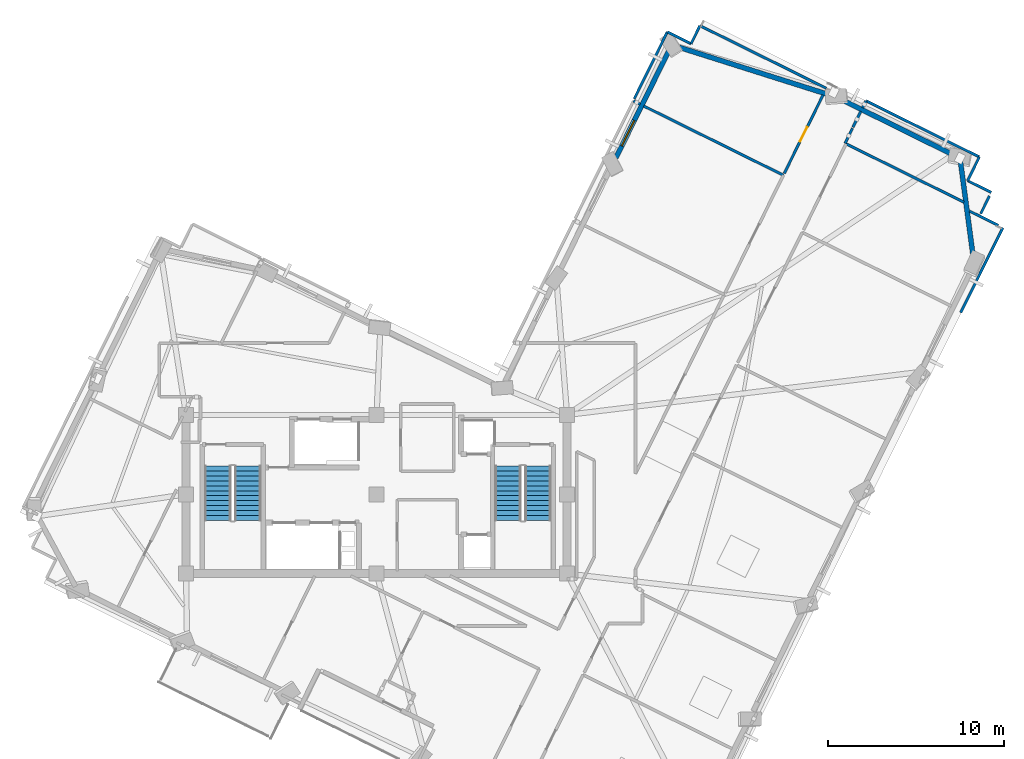
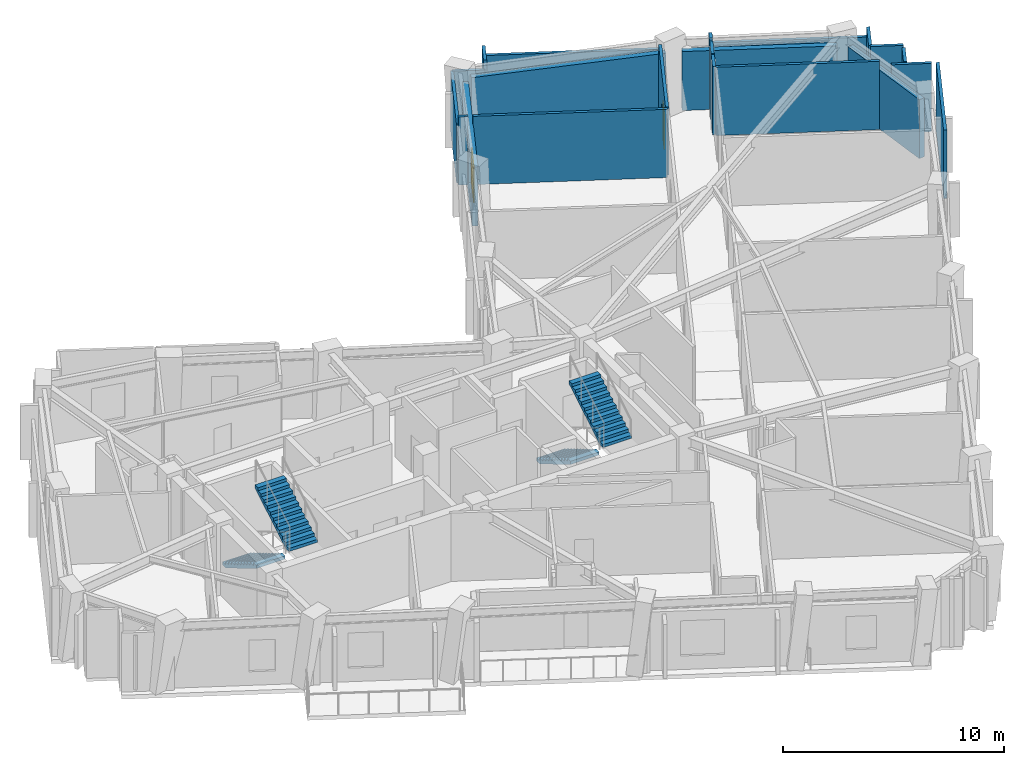
# One storey, part 7 of 11: 21 walls, 4 stair flights, 1 door, 1 window, 2 openings, 2 elements without a shape of their own.
"""IFC4 building model written with IfcOpenShell, lengths in metres."""

from ifc_helpers import new_model, si_unit, direction, frame, frame_2d, origin, place, context, subcontext, project, spatial, polyline, rectangle, outline, extrude, material, layer, layer_set, type_object, element, fill, aggregate, save


model = new_model("IFC4")

# Units and contexts
model_context = context("Model", 3, precision=1e-05, world=origin(), true_north=direction((0.0, 1.0)))
body_context = subcontext(model_context, "Body", "Model", "MODEL_VIEW")
ifc_project = project(units=[si_unit("LENGTHUNIT", "METRE"), si_unit("AREAUNIT", "SQUARE_METRE"), si_unit("VOLUMEUNIT", "CUBIC_METRE"), si_unit("PLANEANGLEUNIT", "RADIAN"), si_unit("MASSUNIT", "GRAM", prefix="KILO")], contexts=[model_context])

# Site, building, storey
site_placement = place(None, origin())
site = spatial("IfcSite", under=ifc_project, at=site_placement, CompositionType="ELEMENT")
building_placement = place(site_placement, origin())
building = spatial("IfcBuilding", under=site, at=building_placement, Name="Gaonmaruhae Medical Tower", CompositionType="ELEMENT")
storey_placement = place(building_placement, frame((0.0, 0.0, 296.60009765625)))
storey = spatial("IfcBuildingStorey", under=building, at=storey_placement, Name="L71", CompositionType="ELEMENT", Elevation=296.60009765625)

# Walls
ifc_material_1 = material(Name="Precast concrete C45/55", Category="concrete")
ifc_layer_1 = layer(ifc_material_1, 0.280029296875)
ifc_layer_set_1 = layer_set([ifc_layer_1], Name="Precast concrete C45/55")
wall_type_1 = type_object("IfcWallType", Name="EW-280 Upper Precast Masonry-Frame Facade Wall", PredefinedType="SOLIDWALL", material=ifc_layer_set_1)
wall_1_placement = place(storey_placement, frame((57.90673828125, 31.1650390625, 0.0), z_axis=(0.0, 0.0, 1.0), x_axis=(0.132260381597, -0.991215007685, 0.0)))
element("IfcWall", 1, at=wall_1_placement, inside=storey, type_object=wall_type_1, Name="L71 Precast Masonry-Frame Wall S06-E01", PredefinedType="SOLIDWALL", context=body_context, shape_type="SweptSolid", body=[
    extrude(rectangle(XDim=5.2939453125, YDim=0.280029296875, at=frame_2d((2.64697265625, 0.0))), origin(), (0.0, 0.0, 1.0), 3.264892578125),
])
wall_2_placement = place(storey_placement, frame((51.114501953125, 34.705322265625, 0.0), z_axis=(0.0, 0.0, 1.0), x_axis=(0.896090969188, -0.443870448373, 0.0)))
element("IfcWall", 2, at=wall_2_placement, inside=storey, type_object=wall_type_1, Name="L71 Precast Masonry-Frame Wall E01-E02", PredefinedType="SOLIDWALL", context=body_context, shape_type="SweptSolid", body=[
    extrude(rectangle(XDim=7.04638671875, YDim=0.280029296875, at=frame_2d((3.523193359375, 0.0))), origin(), (0.0, 0.0, 1.0), 3.264892578125),
])
wall_3_placement = place(storey_placement, frame((41.795166015625, 37.694091796875, 0.0), z_axis=(0.0, 0.0, 1.0), x_axis=(0.953408556874, -0.301682156712, 0.0)))
element("IfcWall", 3, at=wall_3_placement, inside=storey, type_object=wall_type_1, Name="L71 Precast Masonry-Frame Wall E02-E03", PredefinedType="SOLIDWALL", context=body_context, shape_type="SweptSolid", body=[
    extrude(rectangle(XDim=9.0361328125, YDim=0.280029296875, at=frame_2d((4.51806640625, 0.0))), origin(), (0.0, 0.0, 1.0), 3.264892578125),
])

# Wall, opening, window
wall_4_placement = place(storey_placement, frame((38.362060546875, 31.372314453125, 0.0), z_axis=(0.0, 0.0, 1.0), x_axis=(0.443825436225, 0.896113264135, 0.0)))
wall_4 = element("IfcWall", 4, at=wall_4_placement, inside=storey, type_object=wall_type_1, Name="L71 Precast Masonry-Frame Wall E03-EN01", PredefinedType="SOLIDWALL", context=body_context, shape_type="SweptSolid", body=[
    extrude(rectangle(XDim=6.77978515625, YDim=0.280029296875, at=frame_2d((3.389892578125, 0.0))), origin(), (0.0, 0.0, 1.0), 3.264892578125),
])
opening_1_placement = place(wall_4_placement, frame((0.76611328125, 0.0, 0.75)))
opening_1 = element("IfcOpeningElement", 5, at=opening_1_placement, cuts=wall_4, Name="Opening WN-01", PredefinedType="OPENING", context=body_context, shape_type="SweptSolid", body=[
    extrude(rectangle(XDim=1.60009765625, YDim=1.949951171875, at=frame_2d((0.800048828125, 0.97509765625))), frame((0.0, 0.14990234375, 0.0), z_axis=(0.0, -1.0, 0.0), x_axis=(1.0, 0.0, 0.0)), (0.0, 0.0, 1.0), 0.300048828125),
])
ifc_material_2 = material(Name="Anodised aluminium and Low-E double glazing", Category="aluminium")
window_type = type_object("IfcWindowType", Name="WN-01 Ward Punched Acoustic Window 1600x1950", PartitioningType="SINGLE_PANEL", PredefinedType="WINDOW", material=ifc_material_2)
window_placement = place(opening_1_placement, origin())
window = element("IfcWindow", 6, at=window_placement, inside=storey, type_object=window_type, Name="L71 Modular Facade Window E03", OverallHeight=1.949951171875, OverallWidth=1.60009765625, PartitioningType="SINGLE_PANEL", PredefinedType="WINDOW", context=body_context, shape_type="SweptSolid", body=[
    extrude(rectangle(XDim=1.60009765625, YDim=1.949951171875, at=frame_2d((0.800048828125, 0.97509765625))), frame((0.0, 0.030029296875, 0.0), z_axis=(0.0, -1.0, 0.0), x_axis=(1.0, 0.0, 0.0)), (0.0, 0.0, 1.0), 0.06005859375),
])
fill(opening_1, window)

# Walls
ifc_material_3 = material(Name="Gypsum board partition", Category="gypsum")
ifc_layer_2 = layer(ifc_material_3, 0.14990234375)
ifc_layer_set_2 = layer_set([ifc_layer_2], Name="Gypsum board partition")
wall_type_2 = type_object("IfcWallType", Name="PW-150 Rated Clinical Corridor Partition", PredefinedType="PARTITIONING", material=ifc_layer_set_2)
wall_5_placement = place(storey_placement, frame((51.423095703125, 32.169921875, 0.0), z_axis=(0.0, 0.0, 1.0), x_axis=(0.896112067151, -0.44382785301, 0.0)))
element("IfcWall", 7, at=wall_5_placement, inside=storey, type_object=wall_type_2, Name="L71 Interior Partition L71-SUP06-34", PredefinedType="PARTITIONING", context=body_context, shape_type="SweptSolid", body=[
    extrude(rectangle(XDim=7.44873046875, YDim=0.14990234375, at=frame_2d((3.724365234375, 0.0))), origin(), (0.0, 0.0, 1.0), 3.77978515625),
])
wall_6_placement = place(storey_placement, frame((58.416015625, 28.35595703125, 0.0), z_axis=(0.0, 0.0, 1.0), x_axis=(0.895897385058, -0.444261044259, 0.0)))
element("IfcWall", 8, at=wall_6_placement, inside=storey, type_object=wall_type_2, Name="L71 Interior Partition L71-SUP06-36", PredefinedType="PARTITIONING", context=body_context, shape_type="SweptSolid", body=[
    extrude(rectangle(XDim=1.820556640625, YDim=0.14990234375, at=frame_2d((0.91015625, 0.0))), origin(), (0.0, 0.0, 1.0), 3.77978515625),
])
wall_7_placement = place(storey_placement, frame((39.35107421875, 34.60888671875, 0.0), z_axis=(0.0, 0.0, 1.0), x_axis=(0.896327321875, -0.443392977008, 0.0)))
element("IfcWall", 9, at=wall_7_placement, inside=storey, type_object=wall_type_2, Name="L71 Interior Partition L71-IE03-73", PredefinedType="PARTITIONING", context=body_context, shape_type="SweptSolid", body=[
    extrude(rectangle(XDim=0.43505859375, YDim=0.14990234375, at=frame_2d((0.217529296875, 0.0))), origin(), (0.0, 0.0, 1.0), 3.77978515625),
])
wall_8_placement = place(storey_placement, frame((39.947021484375, 34.31396484375, 0.0), z_axis=(0.0, 0.0, 1.0), x_axis=(0.896079017082, -0.443894576613, 0.0)))
element("IfcWall", 10, at=wall_8_placement, inside=storey, type_object=wall_type_2, Name="L71 Interior Partition L71-IE03-74", PredefinedType="PARTITIONING", context=body_context, shape_type="SweptSolid", body=[
    extrude(rectangle(XDim=8.835205078125, YDim=0.14990234375, at=frame_2d((4.41748046875, 0.0))), origin(), (0.0, 0.0, 1.0), 3.77978515625),
])
wall_9_placement = place(storey_placement, frame((42.6298828125, 37.847900390625, 0.0), z_axis=(0.0, 0.0, 1.0), x_axis=(0.444125835306, 0.895964420284, 0.0)))
element("IfcWall", 11, at=wall_9_placement, inside=storey, type_object=wall_type_2, Name="L71 Interior Partition L71-IE04-75", PredefinedType="PARTITIONING", context=body_context, shape_type="SweptSolid", body=[
    extrude(rectangle(XDim=1.1396484375, YDim=0.14990234375, at=frame_2d((0.56982421875, 0.0))), origin(), (0.0, 0.0, 1.0), 3.77978515625),
])
wall_10_placement = place(storey_placement, frame((43.135986328125, 38.868896484375, 0.0), z_axis=(0.0, 0.0, 1.0), x_axis=(0.896129897891, -0.443791849977, 0.0)))
element("IfcWall", 12, at=wall_10_placement, inside=storey, type_object=wall_type_2, Name="L71 Interior Partition L71-IE04-76", PredefinedType="PARTITIONING", context=body_context, shape_type="SweptSolid", body=[
    extrude(rectangle(XDim=7.998779296875, YDim=0.14990234375, at=frame_2d((3.99951171875, 0.0))), origin(), (0.0, 0.0, 1.0), 3.264892578125),
])

# Wall, opening, door
wall_11_placement = place(storey_placement, frame((50.115966796875, 34.93994140625, 0.0), z_axis=(0.0, 0.0, 1.0), x_axis=(-0.443820260553, -0.896115827515, 0.0)))
wall_11 = element("IfcWall", 13, at=wall_11_placement, inside=storey, type_object=wall_type_2, Name="L71 Interior Partition L71-IE04-77", PredefinedType="PARTITIONING", context=body_context, shape_type="SweptSolid", body=[
    extrude(rectangle(XDim=4.95458984375, YDim=0.14990234375, at=frame_2d((2.477294921875, 0.0))), origin(), (0.0, 0.0, 1.0), 3.77978515625),
])
opening_2_placement = place(wall_11_placement, frame((2.017333984375, 0.0, 0.0)))
opening_2 = element("IfcOpeningElement", 14, at=opening_2_placement, cuts=wall_11, Name="Opening UD-01", PredefinedType="OPENING", context=body_context, shape_type="SweptSolid", body=[
    extrude(rectangle(XDim=0.919921875, YDim=2.10009765625, at=frame_2d((0.4599609375, 1.050048828125))), frame((0.0, 0.0849609375, 0.0), z_axis=(0.0, -1.0, 0.0), x_axis=(1.0, 0.0, 0.0)), (0.0, 0.0, 1.0), 0.169921875),
])
ifc_material_4 = material(Name="Powder-coated steel utility door", Category="steel")
door_type = type_object("IfcDoorType", Name="UD-01 Toilet, Utility & Housekeeping Door 920x2100", OperationType="NOTDEFINED", PredefinedType="DOOR", material=ifc_material_4)
door_placement = place(opening_2_placement, origin())
door = element("IfcDoor", 15, at=door_placement, inside=storey, type_object=door_type, Name="L71 Accessible Public Toilet Door", OperationType="SINGLE_SWING_LEFT", OverallHeight=2.10009765625, OverallWidth=0.919921875, PredefinedType="DOOR", context=body_context, shape_type="SweptSolid", body=[
    extrude(rectangle(XDim=0.919921875, YDim=2.10009765625, at=frame_2d((0.4599609375, 1.050048828125))), frame((0.0, 0.02490234375, 0.0), z_axis=(0.0, -1.0, 0.0), x_axis=(1.0, 0.0, 0.0)), (0.0, 0.0, 1.0), 0.050048828125),
])
fill(opening_2, door)

# Walls
wall_12_placement = place(storey_placement, frame((39.405029296875, 34.716064453125, 0.0), z_axis=(0.0, 0.0, 1.0), x_axis=(0.443614973436, 0.89621747101, 0.0)))
element("IfcWall", 16, at=wall_12_placement, inside=storey, type_object=wall_type_2, Name="L71 Interior Partition L71-IE04-78", PredefinedType="PARTITIONING", context=body_context, shape_type="SweptSolid", body=[
    extrude(rectangle(XDim=4.237548828125, YDim=0.14990234375, at=frame_2d((2.11865234375, 0.0))), origin(), (0.0, 0.0, 1.0), 3.264892578125),
])
wall_13_placement = place(storey_placement, frame((41.284912109375, 38.513916015625, 0.0), z_axis=(0.0, 0.0, 1.0), x_axis=(0.896144836653, -0.443761683498, 0.0)))
element("IfcWall", 17, at=wall_13_placement, inside=storey, type_object=wall_type_2, Name="L71 Interior Partition L71-IE04-79", PredefinedType="PARTITIONING", context=body_context, shape_type="SweptSolid", body=[
    extrude(rectangle(XDim=1.500732421875, YDim=0.14990234375, at=frame_2d((0.75048828125, 0.0))), origin(), (0.0, 0.0, 1.0), 3.264892578125),
])
wall_14_placement = place(storey_placement, frame((60.306884765625, 27.41796875, 0.0), z_axis=(0.0, 0.0, 1.0), x_axis=(-0.443900826603, -0.896075920969, 0.0)))
element("IfcWall", 18, at=wall_14_placement, inside=storey, type_object=wall_type_2, Name="L71 Interior Partition L71-RM04-107", PredefinedType="PARTITIONING", context=body_context, shape_type="SweptSolid", body=[
    extrude(rectangle(XDim=5.3701171875, YDim=0.14990234375, at=frame_2d((2.68505859375, 0.0))), origin(), (0.0, 0.0, 1.0), 3.77978515625),
])
wall_15_placement = place(storey_placement, frame((51.360107421875, 32.200927734375, 0.0), z_axis=(0.0, 0.0, 1.0), x_axis=(0.443733960968, 0.896158564029, 0.0)))
element("IfcWall", 19, at=wall_15_placement, inside=storey, type_object=wall_type_2, Name="L71 Interior Partition L71-RM04-108", PredefinedType="PARTITIONING", context=body_context, shape_type="SweptSolid", body=[
    extrude(rectangle(XDim=0.955078125, YDim=0.14990234375, at=frame_2d((0.4775390625, 0.0))), origin(), (0.0, 0.0, 1.0), 3.77978515625),
])
wall_16_placement = place(storey_placement, frame((59.552978515625, 29.208984375, 0.0), z_axis=(0.0, 0.0, 1.0), x_axis=(-0.443599514285, -0.896225122905, 0.0)))
element("IfcWall", 20, at=wall_16_placement, inside=storey, type_object=wall_type_2, Name="L71 Interior Partition L71-RM04-111", PredefinedType="PARTITIONING", context=body_context, shape_type="SweptSolid", body=[
    extrude(rectangle(XDim=1.10888671875, YDim=0.14990234375, at=frame_2d((0.554443359375, 0.0))), origin(), (0.0, 0.0, 1.0), 3.77978515625),
])
wall_17_placement = place(storey_placement, frame((51.81103515625, 33.111083984375, 0.0), z_axis=(0.0, 0.0, 1.0), x_axis=(0.444099519206, 0.895977464583, 0.0)))
element("IfcWall", 21, at=wall_17_placement, inside=storey, type_object=wall_type_2, Name="L71 Interior Partition L71-RM05-112", PredefinedType="PARTITIONING", context=body_context, shape_type="SweptSolid", body=[
    extrude(rectangle(XDim=1.00439453125, YDim=0.14990234375, at=frame_2d((0.502197265625, 0.0))), origin(), (0.0, 0.0, 1.0), 3.77978515625),
])
wall_18_placement = place(storey_placement, frame((52.35888671875, 34.217041015625, 0.0), z_axis=(0.0, 0.0, 1.0), x_axis=(0.443843724004, 0.896104206364, 0.0)))
element("IfcWall", 22, at=wall_18_placement, inside=storey, type_object=wall_type_2, Name="L71 Interior Partition L71-RM05-113", PredefinedType="PARTITIONING", context=body_context, shape_type="SweptSolid", body=[
    extrude(rectangle(XDim=0.43505859375, YDim=0.14990234375, at=frame_2d((0.217529296875, 0.0))), origin(), (0.0, 0.0, 1.0), 3.77978515625),
])
wall_19_placement = place(storey_placement, frame((52.552001953125, 34.60693359375, 0.0), z_axis=(0.0, 0.0, 1.0), x_axis=(0.896130036263, -0.443791570567, 0.0)))
element("IfcWall", 23, at=wall_19_placement, inside=storey, type_object=wall_type_2, Name="L71 Interior Partition L71-RM05-114", PredefinedType="PARTITIONING", context=body_context, shape_type="SweptSolid", body=[
    extrude(rectangle(XDim=7.169677734375, YDim=0.14990234375, at=frame_2d((3.5849609375, 0.0))), origin(), (0.0, 0.0, 1.0), 3.264892578125),
])
wall_20_placement = place(storey_placement, frame((58.97705078125, 31.425048828125, 0.0), z_axis=(0.0, 0.0, 1.0), x_axis=(-0.443761683498, -0.896144836653, 0.0)))
element("IfcWall", 24, at=wall_20_placement, inside=storey, type_object=wall_type_2, Name="L71 Interior Partition L71-RM05-115", PredefinedType="PARTITIONING", context=body_context, shape_type="SweptSolid", body=[
    extrude(rectangle(XDim=1.500732421875, YDim=0.14990234375, at=frame_2d((0.75048828125, 0.0))), origin(), (0.0, 0.0, 1.0), 3.77978515625),
])
wall_21_placement = place(storey_placement, frame((58.31103515625, 30.080078125, 0.0), z_axis=(0.0, 0.0, 1.0), x_axis=(0.896275535339, -0.443497649094, 0.0)))
element("IfcWall", 25, at=wall_21_placement, inside=storey, type_object=wall_type_2, Name="L71 Interior Partition L71-RM05-116", PredefinedType="PARTITIONING", context=body_context, shape_type="SweptSolid", body=[
    extrude(rectangle(XDim=1.49951171875, YDim=0.14990234375, at=frame_2d((0.749755859375, 0.0))), origin(), (0.0, 0.0, 1.0), 3.77978515625),
])

# Stair, stair flights
ifc_material_5 = material(Name="Concrete C40/50", Category="concrete")
stair_type = type_object("IfcStairType", Name="ST-T1 Primary Core Escape Dogleg Stair", PredefinedType="TWO_QUARTER_TURN_STAIR", material=ifc_material_5)
stair_1_placement = place(storey_placement, origin())
stair_1 = element("IfcStair", 26, at=stair_1_placement, inside=storey, type_object=stair_type, Name="L71 Protected Escape Stair ST-01", PredefinedType="TWO_QUARTER_TURN_STAIR")
stair_flight_type = type_object("IfcStairFlightType", Name="SF-T1 Primary Core Precast Stair Flight", PredefinedType="STRAIGHT", material=ifc_material_5)
stair_flight_1_placement = place(storey_placement, frame((15.800048828125, 13.89990234375, 0.0), z_axis=(0.0, 0.0, 1.0), x_axis=(0.0, -1.0, 0.0)))
stair_flight_1 = element("IfcStairFlight", 27, at=stair_flight_1_placement, type_object=stair_flight_type, Name="ST-01 flight 1", NumberOfRisers=12, NumberOfTreads=11, PredefinedType="STRAIGHT", RiserHeight=0.166666667, TreadLength=0.28, context=body_context, shape_type="SweptSolid", body=[
    extrude(outline(polyline([(0.0, 0.0), (0.0, 0.166748046875), (0.280029296875, 0.166748046875), (0.280029296875, 0.333251953125), (0.56005859375, 0.333251953125), (0.56005859375, 0.5), (0.840087890625, 0.5), (0.840087890625, 0.666748046875), (1.1201171875, 0.666748046875), (1.1201171875, 0.833251953125), (1.39990234375, 0.833251953125), (1.39990234375, 1.0), (1.679931640625, 1.0), (1.679931640625, 1.166748046875), (1.9599609375, 1.166748046875), (1.9599609375, 1.333251953125), (2.239990234375, 1.333251953125), (2.239990234375, 1.5), (2.52001953125, 1.5), (2.52001953125, 1.666748046875), (2.800048828125, 1.666748046875), (2.800048828125, 1.833251953125), (3.080078125, 1.833251953125), (3.080078125, 2.0), (3.080078125, 1.658935546875), (0.29296875, 0.0), (0.0, 0.0)])), frame((0.0, 0.75, 0.0), z_axis=(0.0, -1.0, 0.0), x_axis=(1.0, 0.0, 0.0)), (0.0, 0.0, 1.0), 1.5),
])
stair_flight_2_placement = place(storey_placement, frame((17.5, 10.820068359375, 2.0), z_axis=(0.0, 0.0, 1.0), x_axis=(0.0, 1.0, 0.0)))
stair_flight_2 = element("IfcStairFlight", 28, at=stair_flight_2_placement, type_object=stair_flight_type, Name="ST-01 flight 2", NumberOfRisers=12, NumberOfTreads=11, PredefinedType="STRAIGHT", RiserHeight=0.166666667, TreadLength=0.28, context=body_context, shape_type="SweptSolid", body=[
    extrude(outline(polyline([(0.0, 0.0), (0.0, 0.166748046875), (0.280029296875, 0.166748046875), (0.280029296875, 0.333251953125), (0.56005859375, 0.333251953125), (0.56005859375, 0.5), (0.840087890625, 0.5), (0.840087890625, 0.666748046875), (1.1201171875, 0.666748046875), (1.1201171875, 0.833251953125), (1.39990234375, 0.833251953125), (1.39990234375, 1.0), (1.679931640625, 1.0), (1.679931640625, 1.166748046875), (1.9599609375, 1.166748046875), (1.9599609375, 1.333251953125), (2.239990234375, 1.333251953125), (2.239990234375, 1.5), (2.52001953125, 1.5), (2.52001953125, 1.666748046875), (2.800048828125, 1.666748046875), (2.800048828125, 1.833251953125), (3.080078125, 1.833251953125), (3.080078125, 2.0), (3.080078125, 1.658935546875), (0.29296875, 0.0), (0.0, 0.0)])), frame((0.0, 0.75, 0.0), z_axis=(0.0, -1.0, 0.0), x_axis=(1.0, 0.0, 0.0)), (0.0, 0.0, 1.0), 1.5),
])
aggregate(stair_1, [stair_flight_1, stair_flight_2])

stair_2_placement = place(storey_placement, origin())
stair_2 = element("IfcStair", 29, at=stair_2_placement, inside=storey, type_object=stair_type, Name="L71 Protected Escape Stair ST-02", PredefinedType="TWO_QUARTER_TURN_STAIR")
stair_flight_3_placement = place(storey_placement, frame((32.25, 13.89990234375, 0.0), z_axis=(0.0, 0.0, 1.0), x_axis=(0.0, -1.0, 0.0)))
stair_flight_3 = element("IfcStairFlight", 30, at=stair_flight_3_placement, type_object=stair_flight_type, Name="ST-02 flight 1", NumberOfRisers=12, NumberOfTreads=11, PredefinedType="STRAIGHT", RiserHeight=0.166666667, TreadLength=0.28, context=body_context, shape_type="SweptSolid", body=[
    extrude(outline(polyline([(0.0, 0.0), (0.0, 0.166748046875), (0.280029296875, 0.166748046875), (0.280029296875, 0.333251953125), (0.56005859375, 0.333251953125), (0.56005859375, 0.5), (0.840087890625, 0.5), (0.840087890625, 0.666748046875), (1.1201171875, 0.666748046875), (1.1201171875, 0.833251953125), (1.39990234375, 0.833251953125), (1.39990234375, 1.0), (1.679931640625, 1.0), (1.679931640625, 1.166748046875), (1.9599609375, 1.166748046875), (1.9599609375, 1.333251953125), (2.239990234375, 1.333251953125), (2.239990234375, 1.5), (2.52001953125, 1.5), (2.52001953125, 1.666748046875), (2.800048828125, 1.666748046875), (2.800048828125, 1.833251953125), (3.080078125, 1.833251953125), (3.080078125, 2.0), (3.080078125, 1.658935546875), (0.29296875, 0.0), (0.0, 0.0)])), frame((0.0, 0.75, 0.0), z_axis=(0.0, -1.0, 0.0), x_axis=(1.0, 0.0, 0.0)), (0.0, 0.0, 1.0), 1.5),
])
stair_flight_4_placement = place(storey_placement, frame((33.949951171875, 10.820068359375, 2.0), z_axis=(0.0, 0.0, 1.0), x_axis=(0.0, 1.0, 0.0)))
stair_flight_4 = element("IfcStairFlight", 31, at=stair_flight_4_placement, type_object=stair_flight_type, Name="ST-02 flight 2", NumberOfRisers=12, NumberOfTreads=11, PredefinedType="STRAIGHT", RiserHeight=0.166666667, TreadLength=0.28, context=body_context, shape_type="SweptSolid", body=[
    extrude(outline(polyline([(0.0, 0.0), (0.0, 0.166748046875), (0.280029296875, 0.166748046875), (0.280029296875, 0.333251953125), (0.56005859375, 0.333251953125), (0.56005859375, 0.5), (0.840087890625, 0.5), (0.840087890625, 0.666748046875), (1.1201171875, 0.666748046875), (1.1201171875, 0.833251953125), (1.39990234375, 0.833251953125), (1.39990234375, 1.0), (1.679931640625, 1.0), (1.679931640625, 1.166748046875), (1.9599609375, 1.166748046875), (1.9599609375, 1.333251953125), (2.239990234375, 1.333251953125), (2.239990234375, 1.5), (2.52001953125, 1.5), (2.52001953125, 1.666748046875), (2.800048828125, 1.666748046875), (2.800048828125, 1.833251953125), (3.080078125, 1.833251953125), (3.080078125, 2.0), (3.080078125, 1.658935546875), (0.29296875, 0.0), (0.0, 0.0)])), frame((0.0, 0.75, 0.0), z_axis=(0.0, -1.0, 0.0), x_axis=(1.0, 0.0, 0.0)), (0.0, 0.0, 1.0), 1.5),
])
aggregate(stair_2, [stair_flight_3, stair_flight_4])

save(model, "model.ifc")
